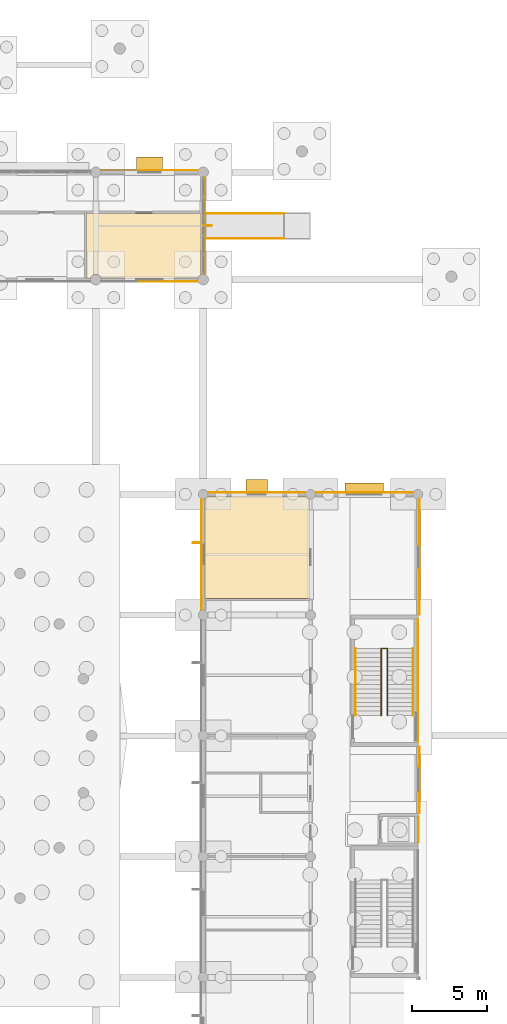
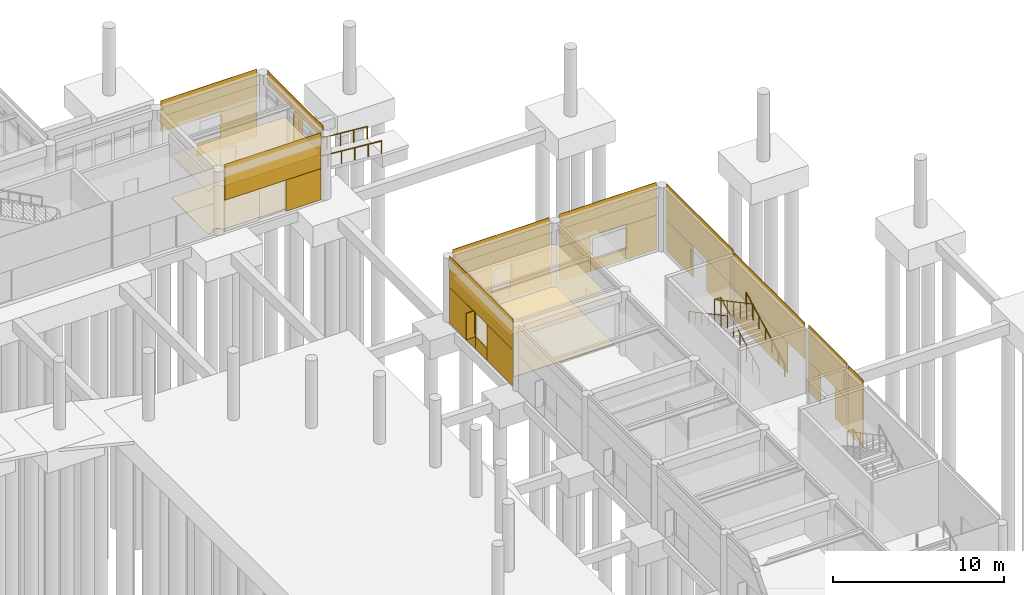
# One storey, part 102 of 103: 31 coverings, 5 railings, 5 shading devices.
"""IFC4 building model written with IfcOpenShell, lengths in metres."""

from ifc_helpers import new_model, si_unit, direction, frame, origin, origin_2d, place, context, subcontext, project, spatial, polyline, rectangle, circle, outline, extrude, material, layer, layer_set, type_object, element, save


model = new_model("IFC4")

# Units and contexts
model_context = context("Model", 3, precision=1e-05, world=origin(), true_north=direction((0.0, 1.0)))
body_context = subcontext(model_context, "Body", "Model", "MODEL_VIEW")
ifc_project = project(units=[si_unit("LENGTHUNIT", "METRE"), si_unit("AREAUNIT", "SQUARE_METRE"), si_unit("VOLUMEUNIT", "CUBIC_METRE"), si_unit("PLANEANGLEUNIT", "RADIAN"), si_unit("MASSUNIT", "GRAM", prefix="KILO")], contexts=[model_context])

# Site, building, storey
site_placement = place(None, origin())
site = spatial("IfcSite", under=ifc_project, at=site_placement, CompositionType="ELEMENT")
building_placement = place(site_placement, origin())
building = spatial("IfcBuilding", under=site, at=building_placement, Name="Namkhue Oval Health Centre", CompositionType="ELEMENT")
storey_placement = place(building_placement, origin())
storey = spatial("IfcBuildingStorey", under=building, at=storey_placement, Name="L00", CompositionType="ELEMENT", Elevation=0.0)

# Coverings
ifc_material_1 = material(Name="Acoustic mineral-fibre cleanroom ceiling", Category="gypsum")
ifc_layer_1 = layer(ifc_material_1, 0.02001953125)
ifc_layer_set_1 = layer_set([ifc_layer_1], Name="Acoustic mineral-fibre cleanroom ceiling")
covering_type_1 = type_object("IfcCoveringType", Name="ACOUSTIC CLEANROOM CEILING 20", PredefinedType="CEILING", material=ifc_layer_set_1)
covering_1_placement = place(storey_placement, frame((0.0, 0.0, 3.050048828125)))
element("IfcCovering", 1, at=covering_1_placement, inside=storey, type_object=covering_type_1, Name="Acoustic Ceiling L00-311 Hearing Aid Fitting Clinic", PredefinedType="CEILING", context=body_context, shape_type="SweptSolid", body=[
    extrude(outline(polyline([(129.94873046875, 90.0849609375), (129.911865234375, 90.179931640625), (129.8544921875, 90.254638671875), (129.780029296875, 90.311767578125), (129.693115234375, 90.34765625), (129.60009765625, 90.360107421875), (129.5068359375, 90.34765625), (129.419921875, 90.311767578125), (129.345458984375, 90.254638671875), (129.2880859375, 90.179931640625), (129.251220703125, 90.0849609375), (128.97998046875, 90.0849609375), (128.97998046875, 94.419921875), (136.655029296875, 94.419921875), (136.655029296875, 90.326416015625), (136.6201171875, 90.311767578125), (136.54541015625, 90.254638671875), (136.48828125, 90.179931640625), (136.451171875, 90.0849609375), (129.94873046875, 90.0849609375)])), origin(), (0.0, 0.0, 1.0), 0.02001953125),
])
covering_2_placement = place(storey_placement, frame((0.0, 0.0, 3.050048828125)))
element("IfcCovering", 2, at=covering_2_placement, inside=storey, type_object=covering_type_1, Name="Acoustic Ceiling L00-607 Gait Mobility Assessment Clinic", PredefinedType="CEILING", context=body_context, shape_type="SweptSolid", body=[
    extrude(outline(polyline([(136.885009765625, 68.616943359375), (136.885009765625, 75.276123046875), (136.967529296875, 75.309814453125), (137.036865234375, 75.363037109375), (137.090087890625, 75.4326171875), (137.09521484375, 75.445068359375), (143.70458984375, 75.445068359375), (143.7099609375, 75.4326171875), (143.76318359375, 75.363037109375), (143.83251953125, 75.309814453125), (143.919921875, 75.275390625), (143.919921875, 68.616943359375), (136.885009765625, 68.616943359375)])), origin(), (0.0, 0.0, 1.0), 0.02001953125),
])
ifc_material_2 = material(Name="Homogeneous anti-bacterial clinical vinyl flooring", Category="plastic")
ifc_layer_2 = layer(ifc_material_2, 0.014892578125)
ifc_layer_set_2 = layer_set([ifc_layer_2], Name="Homogeneous anti-bacterial clinical vinyl flooring")
covering_type_2 = type_object("IfcCoveringType", Name="CLINICAL ANTIBACTERIAL VINYL FLOORING 15", PredefinedType="FLOORING", material=ifc_layer_set_2)
covering_3_placement = place(storey_placement, origin())
element("IfcCovering", 3, at=covering_3_placement, inside=storey, type_object=covering_type_2, Name="Clinical Flooring L00-311 Hearing Aid Fitting Clinic", PredefinedType="FLOORING", context=body_context, shape_type="SweptSolid", body=[
    extrude(outline(polyline([(129.94873046875, 90.0849609375), (129.911865234375, 90.179931640625), (129.8544921875, 90.254638671875), (129.780029296875, 90.311767578125), (129.693115234375, 90.34765625), (129.60009765625, 90.360107421875), (129.5068359375, 90.34765625), (129.419921875, 90.311767578125), (129.345458984375, 90.254638671875), (129.2880859375, 90.179931640625), (129.251220703125, 90.0849609375), (128.97998046875, 90.0849609375), (128.97998046875, 94.419921875), (136.655029296875, 94.419921875), (136.655029296875, 90.326416015625), (136.6201171875, 90.311767578125), (136.54541015625, 90.254638671875), (136.48828125, 90.179931640625), (136.451171875, 90.0849609375), (129.94873046875, 90.0849609375)])), origin(), (0.0, 0.0, 1.0), 0.014892578125),
])
covering_4_placement = place(storey_placement, origin())
element("IfcCovering", 4, at=covering_4_placement, inside=storey, type_object=covering_type_2, Name="Clinical Flooring L00-607 Gait Mobility Assessment Clinic", PredefinedType="FLOORING", context=body_context, shape_type="SweptSolid", body=[
    extrude(outline(polyline([(136.885009765625, 68.616943359375), (136.885009765625, 75.276123046875), (136.967529296875, 75.309814453125), (137.036865234375, 75.363037109375), (137.090087890625, 75.4326171875), (137.09521484375, 75.445068359375), (143.70458984375, 75.445068359375), (143.7099609375, 75.4326171875), (143.76318359375, 75.363037109375), (143.83251953125, 75.309814453125), (143.919921875, 75.275390625), (143.919921875, 68.616943359375), (136.885009765625, 68.616943359375)])), origin(), (0.0, 0.0, 1.0), 0.014892578125),
])

# Railings
ifc_material_3 = material(Name="Brushed stainless steel 304 tubular handrail", Category="steel")
railing_type_1 = type_object("IfcRailingType", Name="EXTERIOR RAMP HANDRAIL 900", PredefinedType="HANDRAIL", material=ifc_material_3)
for number, where, name in (
    (5, (142.199951171875, 92.760009765625, -0.449951171875), "East Specialist Clinic Arrival Ramp Handrail L"),
    (6, (142.199951171875, 94.43994140625, -0.449951171875), "East Specialist Clinic Arrival Ramp Handrail R"),
):
    element("IfcRailing", number, at=place(storey_placement, frame(where)), inside=storey, type_object=railing_type_1, Name=name, PredefinedType="HANDRAIL", context=body_context, shape_type="SweptSolid", body=[
        extrude(circle(Radius=0.02392578125, at=origin_2d()), frame((0.0, 0.0, 0.8759765625), z_axis=(-0.996546379678, 0.0, 0.083038022323), x_axis=(0.0, -1.0, 0.0)), (0.0, 0.0, 1.0), 5.418701171875),
        extrude(circle(Radius=0.02099609375, at=origin_2d()), origin(), (0.0, 0.0, 1.0), 0.851806640625),
        extrude(circle(Radius=0.02099609375, at=origin_2d()), frame((-0.89990234375, 0.0, 0.074951171875)), (0.0, 0.0, 1.0), 0.851806640625),
        extrude(circle(Radius=0.02099609375, at=origin_2d()), frame((-1.800048828125, 0.0, 0.14990234375)), (0.0, 0.0, 1.0), 0.851806640625),
        extrude(circle(Radius=0.02099609375, at=origin_2d()), frame((-2.699951171875, 0.0, 0.22509765625)), (0.0, 0.0, 1.0), 0.851806640625),
        extrude(circle(Radius=0.02099609375, at=origin_2d()), frame((-3.599853515625, 0.0, 0.300048828125)), (0.0, 0.0, 1.0), 0.851806640625),
        extrude(circle(Radius=0.02099609375, at=origin_2d()), frame((-4.5, 0.0, 0.375)), (0.0, 0.0, 1.0), 0.851806640625),
        extrude(circle(Radius=0.02099609375, at=origin_2d()), frame((-5.39990234375, 0.0, 0.449951171875)), (0.0, 0.0, 1.0), 0.851806640625),
    ])
ifc_material_4 = material(Name="Brushed stainless steel 316L balustrade with laminated glass infill", Category="steel")
railing_type_2 = type_object("IfcRailingType", Name="INTERIOR BALUSTRADE GUARD 1150", PredefinedType="BALUSTRADE", material=ifc_material_4)
railing_1_placement = place(storey_placement, frame((149.159912109375, 60.75, 0.0)))
element("IfcRailing", 7, at=railing_1_placement, inside=storey, type_object=railing_type_2, Name="Stair ST-12 L00 Inner Well Guard", PredefinedType="BALUSTRADE", context=body_context, shape_type="SweptSolid", body=[
    extrude(circle(Radius=0.02392578125, at=origin_2d()), frame((0.0, 0.0, 1.1259765625), z_axis=(0.0, 0.882360891967, 0.470573327259), x_axis=(-1.0, 0.0, 0.0)), (0.0, 0.0, 1.0), 5.099853515625),
    extrude(circle(Radius=0.02392578125, at=origin_2d()), frame((0.0, 4.5, 3.52587890625), z_axis=(-1.0, 0.0, 0.0), x_axis=(0.0, -1.0, 0.0)), (0.0, 0.0, 1.0), 0.419921875),
    extrude(circle(Radius=0.02392578125, at=origin_2d()), frame((-0.419921875, 4.5, 3.52587890625), z_axis=(0.0, -0.882341014787, 0.470610596591), x_axis=(1.0, 0.0, 0.0)), (0.0, 0.0, 1.0), 5.10009765625),
    extrude(circle(Radius=0.02099609375, at=origin_2d()), origin(), (0.0, 0.0, 1.0), 1.101806640625),
    extrude(circle(Radius=0.02099609375, at=origin_2d()), frame((0.0, 0.75, 0.39990234375)), (0.0, 0.0, 1.0), 1.101806640625),
    extrude(circle(Radius=0.02099609375, at=origin_2d()), frame((0.0, 1.5, 0.800048828125)), (0.0, 0.0, 1.0), 1.101806640625),
    extrude(circle(Radius=0.02099609375, at=origin_2d()), frame((0.0, 2.25, 1.199951171875)), (0.0, 0.0, 1.0), 1.101806640625),
    extrude(circle(Radius=0.02099609375, at=origin_2d()), frame((0.0, 3.0, 1.599853515625)), (0.0, 0.0, 1.0), 1.101806640625),
    extrude(circle(Radius=0.02099609375, at=origin_2d()), frame((0.0, 3.75, 2.0)), (0.0, 0.0, 1.0), 1.101806640625),
    extrude(circle(Radius=0.02099609375, at=origin_2d()), frame((0.0, 4.5, 2.39990234375)), (0.0, 0.0, 1.0), 1.101806640625),
    extrude(circle(Radius=0.02099609375, at=origin_2d()), frame((-0.419921875, 4.5, 2.39990234375)), (0.0, 0.0, 1.0), 1.101806640625),
    extrude(circle(Radius=0.02099609375, at=origin_2d()), frame((-0.419921875, 3.75, 2.7998046875)), (0.0, 0.0, 1.0), 1.101806640625),
    extrude(circle(Radius=0.02099609375, at=origin_2d()), frame((-0.419921875, 3.0, 3.199951171875)), (0.0, 0.0, 1.0), 1.101806640625),
    extrude(circle(Radius=0.02099609375, at=origin_2d()), frame((-0.419921875, 2.25, 3.60009765625)), (0.0, 0.0, 1.0), 1.101806640625),
    extrude(circle(Radius=0.02099609375, at=origin_2d()), frame((-0.419921875, 1.5, 4.0)), (0.0, 0.0, 1.0), 1.101806640625),
    extrude(circle(Radius=0.02099609375, at=origin_2d()), frame((-0.419921875, 0.75, 4.39990234375)), (0.0, 0.0, 1.0), 1.101806640625),
    extrude(circle(Radius=0.02099609375, at=origin_2d()), frame((-0.419921875, 0.0, 4.800048828125)), (0.0, 0.0, 1.0), 1.101806640625),
])
railing_type_3 = type_object("IfcRailingType", Name="INTERIOR STAIR HANDRAIL 900", PredefinedType="HANDRAIL", material=ifc_material_3)
railing_2_placement = place(storey_placement, frame((150.8798828125, 60.75, 0.0)))
element("IfcRailing", 8, at=railing_2_placement, inside=storey, type_object=railing_type_3, Name="Stair ST-12 L00 Flight 1 Handrail", PredefinedType="HANDRAIL", context=body_context, shape_type="SweptSolid", body=[
    extrude(circle(Radius=0.02392578125, at=origin_2d()), frame((0.0, 0.0, 0.8759765625), z_axis=(0.0, 0.882360891967, 0.470573327259), x_axis=(-1.0, 0.0, 0.0)), (0.0, 0.0, 1.0), 5.099853515625),
    extrude(circle(Radius=0.02099609375, at=origin_2d()), origin(), (0.0, 0.0, 1.0), 0.851806640625),
    extrude(circle(Radius=0.02099609375, at=origin_2d()), frame((0.0, 0.75, 0.39990234375)), (0.0, 0.0, 1.0), 0.851806640625),
    extrude(circle(Radius=0.02099609375, at=origin_2d()), frame((0.0, 1.5, 0.800048828125)), (0.0, 0.0, 1.0), 0.851806640625),
    extrude(circle(Radius=0.02099609375, at=origin_2d()), frame((0.0, 2.25, 1.199951171875)), (0.0, 0.0, 1.0), 0.851806640625),
    extrude(circle(Radius=0.02099609375, at=origin_2d()), frame((0.0, 3.0, 1.599853515625)), (0.0, 0.0, 1.0), 0.851806640625),
    extrude(circle(Radius=0.02099609375, at=origin_2d()), frame((0.0, 3.75, 2.0)), (0.0, 0.0, 1.0), 0.851806640625),
    extrude(circle(Radius=0.02099609375, at=origin_2d()), frame((0.0, 4.5, 2.39990234375)), (0.0, 0.0, 1.0), 0.851806640625),
])
railing_3_placement = place(storey_placement, frame((147.02001953125, 65.25, 2.39990234375)))
element("IfcRailing", 9, at=railing_3_placement, inside=storey, type_object=railing_type_3, Name="Stair ST-12 L00 Flight 2 Handrail", PredefinedType="HANDRAIL", context=body_context, shape_type="SweptSolid", body=[
    extrude(circle(Radius=0.02392578125, at=origin_2d()), frame((0.0, 0.0, 0.8759765625), z_axis=(0.0, -0.882341014787, 0.470610596591), x_axis=(1.0, 0.0, 0.0)), (0.0, 0.0, 1.0), 5.10009765625),
    extrude(circle(Radius=0.02099609375, at=origin_2d()), origin(), (0.0, 0.0, 1.0), 0.851806640625),
    extrude(circle(Radius=0.02099609375, at=origin_2d()), frame((0.0, -0.75, 0.39990234375)), (0.0, 0.0, 1.0), 0.851806640625),
    extrude(circle(Radius=0.02099609375, at=origin_2d()), frame((0.0, -1.5, 0.800048828125)), (0.0, 0.0, 1.0), 0.851806640625),
    extrude(circle(Radius=0.02099609375, at=origin_2d()), frame((0.0, -2.25, 1.2001953125)), (0.0, 0.0, 1.0), 0.851806640625),
    extrude(circle(Radius=0.02099609375, at=origin_2d()), frame((0.0, -3.0, 1.60009765625)), (0.0, 0.0, 1.0), 0.851806640625),
    extrude(circle(Radius=0.02099609375, at=origin_2d()), frame((0.0, -3.75, 2.0)), (0.0, 0.0, 1.0), 0.851806640625),
    extrude(circle(Radius=0.02099609375, at=origin_2d()), frame((0.0, -4.5, 2.400146484375)), (0.0, 0.0, 1.0), 0.851806640625),
])

# Shading devices
ifc_material_5 = material(Name="Anodised aluminium EN AW-6063 T6", Category="aluminium")
ifc_layer_3 = layer(ifc_material_5, 0.06005859375)
ifc_layer_set_3 = layer_set([ifc_layer_3], Name="Anodised aluminium EN AW-6063 T6")
shading_device_type_1 = type_object("IfcShadingDeviceType", Name="MONSOON SUN LOUVRE 900", PredefinedType="JALOUSIE", material=ifc_layer_set_3)
shading_device_1_placement = place(storey_placement, frame((133.199951171875, 97.764892578125, 2.580078125), z_axis=(0.0, 0.0, 1.0), x_axis=(-1.0, 0.0, 0.0)))
element("IfcShadingDevice", 10, at=shading_device_1_placement, inside=storey, type_object=shading_device_type_1, Name="Volume V3 L00 Window Monsoon Louvre 118", PredefinedType="JALOUSIE", context=body_context, shape_type="SweptSolid", body=[
    extrude(rectangle(XDim=1.739990234375, YDim=0.89990234375, at=origin_2d()), origin(), (0.0, 0.0, 1.0), 0.06005859375),
])
shading_device_2_placement = place(storey_placement, frame((140.39990234375, 76.14990234375, 2.580078125), z_axis=(0.0, 0.0, 1.0), x_axis=(-1.0, 0.0, 0.0)))
element("IfcShadingDevice", 11, at=shading_device_2_placement, inside=storey, type_object=shading_device_type_1, Name="Volume V6 L00 Window Monsoon Louvre 298", PredefinedType="JALOUSIE", context=body_context, shape_type="SweptSolid", body=[
    extrude(rectangle(XDim=1.43994140625, YDim=0.89990234375, at=origin_2d()), origin(), (0.0, 0.0, 1.0), 0.06005859375),
])
ifc_layer_4 = layer(ifc_material_5, 0.050048828125)
ifc_layer_set_4 = layer_set([ifc_layer_4], Name="Anodised aluminium EN AW-6063 T6")
shading_device_type_2 = type_object("IfcShadingDeviceType", Name="STORM SHUTTER LOUVRE 650", PredefinedType="SHUTTER", material=ifc_layer_set_4)
shading_device_3_placement = place(storey_placement, frame((147.60009765625, 76.02001953125, 2.4599609375), z_axis=(0.0, 0.0, 1.0), x_axis=(-1.0, 0.0, 0.0)))
element("IfcShadingDevice", 12, at=shading_device_3_placement, inside=storey, type_object=shading_device_type_2, Name="Volume V6 L00 Window Monsoon Louvre 297", PredefinedType="SHUTTER", context=body_context, shape_type="SweptSolid", body=[
    extrude(rectangle(XDim=2.590087890625, YDim=0.64990234375, at=origin_2d()), origin(), (0.0, 0.0, 1.0), 0.06005859375),
])
shading_device_type_3 = type_object("IfcShadingDeviceType", Name="VERTICAL SOLAR FIN 600", PredefinedType="USERDEFINED", material=ifc_material_5)
shading_device_4_placement = place(storey_placement, frame((137.06005859375, 93.60009765625, 0.0), z_axis=(0.0, 0.0, 1.0), x_axis=(1.0, 0.0, 0.0)))
element("IfcShadingDevice", 13, at=shading_device_4_placement, inside=storey, type_object=shading_device_type_3, Name="Volume V3 L00 Extruded Aluminium Solar Fin 117", ObjectType="SOLAR FIN", PredefinedType="USERDEFINED", context=body_context, shape_type="SweptSolid", body=[
    extrude(rectangle(XDim=0.60009765625, YDim=0.06005859375, at=origin_2d()), origin(), (0.0, 0.0, 1.0), 3.885009765625),
])
shading_device_5_placement = place(storey_placement, frame((136.405029296875, 72.340087890625, 0.7998046875), z_axis=(0.0, 0.0, 1.0), x_axis=(-1.0, 0.0, 0.0)))
element("IfcShadingDevice", 14, at=shading_device_5_placement, inside=storey, type_object=shading_device_type_3, Name="Volume V6 L00 Window Solar Fin 299", ObjectType="SOLAR FIN", PredefinedType="USERDEFINED", context=body_context, shape_type="SweptSolid", body=[
    extrude(rectangle(XDim=0.60009765625, YDim=0.06005859375, at=origin_2d()), origin(), (0.0, 0.0, 1.0), 1.860107421875),
])

# Coverings
ifc_material_6 = material(Name="White glass-fibre reinforced concrete GRC rainscreen cladding", Category="concrete")
ifc_layer_5 = layer(ifc_material_6, 0.02490234375)
ifc_layer_set_5 = layer_set([ifc_layer_5], Name="White glass-fibre reinforced concrete GRC rainscreen cladding")
covering_type_3 = type_object("IfcCoveringType", Name="WHITE GRC RAINSCREEN CLADDING 25", PredefinedType="CLADDING", material=ifc_layer_set_5)
covering_5_placement = place(storey_placement, frame((133.199951171875, 89.867919921875, 2.23486328125), z_axis=(0.0, 0.0, 1.0), x_axis=(1.0, 0.0, 0.0)))
element("IfcCovering", 15, at=covering_5_placement, inside=storey, type_object=covering_type_3, Name="Volume V3 L00 Facade 55 White GRC Cladding 1", PredefinedType="CLADDING", context=body_context, shape_type="SweptSolid", body=[
    extrude(rectangle(XDim=6.469970703125, YDim=0.02490234375, at=origin_2d()), origin(), (0.0, 0.0, 1.0), 2.554931640625),
])
covering_6_placement = place(storey_placement, frame((135.262451171875, 89.867919921875, 0.01025390625), z_axis=(0.0, 0.0, 1.0), x_axis=(1.0, 0.0, 0.0)))
element("IfcCovering", 16, at=covering_6_placement, inside=storey, type_object=covering_type_3, Name="Volume V3 L00 Facade 55 White GRC Cladding 3", PredefinedType="CLADDING", context=body_context, shape_type="SweptSolid", body=[
    extrude(rectangle(XDim=2.344970703125, YDim=0.02490234375, at=origin_2d()), origin(), (0.0, 0.0, 1.0), 2.219970703125),
])
covering_7_placement = place(storey_placement, frame((136.888427734375, 93.60009765625, 3.8701171875), z_axis=(0.0, 0.0, 1.0), x_axis=(0.0, 1.0, 0.0)))
element("IfcCovering", 17, at=covering_7_placement, inside=storey, type_object=covering_type_3, Name="Volume V3 L00 Curtain Wall Spandrel Cladding 91", PredefinedType="CLADDING", context=body_context, shape_type="SweptSolid", body=[
    extrude(rectangle(XDim=6.5, YDim=0.02490234375, at=origin_2d()), origin(), (0.0, 0.0, 1.0), 0.929931640625),
])
covering_8_placement = place(storey_placement, frame((133.199951171875, 97.3369140625, 2.5751953125), z_axis=(0.0, 0.0, 1.0), x_axis=(-1.0, 0.0, 0.0)))
element("IfcCovering", 18, at=covering_8_placement, inside=storey, type_object=covering_type_3, Name="Volume V3 L00 Facade 56 White GRC Cladding 1", PredefinedType="CLADDING", context=body_context, shape_type="SweptSolid", body=[
    extrude(rectangle(XDim=6.469970703125, YDim=0.02490234375, at=origin_2d()), origin(), (0.0, 0.0, 1.0), 2.215087890625),
])
covering_9_placement = place(storey_placement, frame((135.199951171875, 97.3369140625, 0.010009765625), z_axis=(0.0, 0.0, 1.0), x_axis=(-1.0, 0.0, 0.0)))
element("IfcCovering", 19, at=covering_9_placement, inside=storey, type_object=covering_type_3, Name="Volume V3 L00 Facade 56 White GRC Cladding 2", PredefinedType="CLADDING", context=body_context, shape_type="SweptSolid", body=[
    extrude(rectangle(XDim=2.469970703125, YDim=0.02490234375, at=origin_2d()), origin(), (0.0, 0.0, 1.0), 2.56005859375),
])
covering_10_placement = place(storey_placement, frame((133.199951171875, 97.3369140625, 0.010009765625), z_axis=(0.0, 0.0, 1.0), x_axis=(-1.0, 0.0, 0.0)))
element("IfcCovering", 20, at=covering_10_placement, inside=storey, type_object=covering_type_3, Name="Volume V3 L00 Facade 56 White GRC Cladding 3", PredefinedType="CLADDING", context=body_context, shape_type="SweptSolid", body=[
    extrude(rectangle(XDim=1.52001953125, YDim=0.02490234375, at=origin_2d()), origin(), (0.0, 0.0, 1.0), 0.875),
])
covering_11_placement = place(storey_placement, frame((151.306884765625, 56.449951171875, 2.21484375), z_axis=(0.0, 0.0, 1.0), x_axis=(0.0, 1.0, 0.0)))
element("IfcCovering", 21, at=covering_11_placement, inside=storey, type_object=covering_type_3, Name="Volume V6 L00 Facade 162 White GRC Cladding 1", PredefinedType="CLADDING", context=body_context, shape_type="SweptSolid", body=[
    extrude(rectangle(XDim=4.4560546875, YDim=0.02490234375, at=origin_2d()), origin(), (0.0, 0.0, 1.0), 2.574951171875),
])
for number, where, z_axis, x_axis, name in (
    (22, (151.306884765625, 54.928466796875, 0.01025390625), (0.0, 0.0, 1.0), (0.0, 1.0, 0.0), "Volume V6 L00 Facade 162 White GRC Cladding 2"),
    (23, (151.306884765625, 57.971435546875, 0.01025390625), (0.0, 0.0, 1.0), (0.0, 1.0, 0.0), "Volume V6 L00 Facade 162 White GRC Cladding 3"),
):
    element("IfcCovering", number, at=place(storey_placement, frame(where, z_axis=z_axis, x_axis=x_axis)), inside=storey, type_object=covering_type_3, Name=name, PredefinedType="CLADDING", context=body_context, shape_type="SweptSolid", body=[
        extrude(rectangle(XDim=1.4130859375, YDim=0.02490234375, at=origin_2d()), origin(), (0.0, 0.0, 1.0), 2.199951171875),
    ])
covering_12_placement = place(storey_placement, frame((151.31201171875, 71.39111328125, 2.19482421875), z_axis=(0.0, 0.0, 1.0), x_axis=(0.0, 1.0, 0.0)))
element("IfcCovering", 24, at=covering_12_placement, inside=storey, type_object=covering_type_3, Name="Volume V6 L00 Facade 163 White GRC Cladding 1", PredefinedType="CLADDING", context=body_context, shape_type="SweptSolid", body=[
    extrude(rectangle(XDim=7.738037109375, YDim=0.02490234375, at=origin_2d()), origin(), (0.0, 0.0, 1.0), 2.594970703125),
])
for number, where, z_axis, x_axis, name in (
    (25, (151.31201171875, 69.069091796875, 0.01025390625), (0.0, 0.0, 1.0), (0.0, 1.0, 0.0), "Volume V6 L00 Facade 163 White GRC Cladding 2"),
    (26, (151.31201171875, 73.712890625, 0.01025390625), (0.0, 0.0, 1.0), (0.0, 1.0, 0.0), "Volume V6 L00 Facade 163 White GRC Cladding 3"),
):
    element("IfcCovering", number, at=place(storey_placement, frame(where, z_axis=z_axis, x_axis=x_axis)), inside=storey, type_object=covering_type_3, Name=name, PredefinedType="CLADDING", context=body_context, shape_type="SweptSolid", body=[
        extrude(rectangle(XDim=3.093994140625, YDim=0.02490234375, at=origin_2d()), origin(), (0.0, 0.0, 1.0), 2.179931640625),
    ])
covering_13_placement = place(storey_placement, frame((147.60009765625, 75.717041015625, 2.455078125), z_axis=(0.0, 0.0, 1.0), x_axis=(-1.0, 0.0, 0.0)))
element("IfcCovering", 27, at=covering_13_placement, inside=storey, type_object=covering_type_3, Name="Volume V6 L00 Facade 164 White GRC Cladding 1", PredefinedType="CLADDING", context=body_context, shape_type="SweptSolid", body=[
    extrude(rectangle(XDim=6.52001953125, YDim=0.02490234375, at=origin_2d()), origin(), (0.0, 0.0, 1.0), 2.3349609375),
])
covering_14_placement = place(storey_placement, frame((149.824951171875, 75.717041015625, 0.010009765625), z_axis=(0.0, 0.0, 1.0), x_axis=(-1.0, 0.0, 0.0)))
element("IfcCovering", 28, at=covering_14_placement, inside=storey, type_object=covering_type_3, Name="Volume V6 L00 Facade 164 White GRC Cladding 2", PredefinedType="CLADDING", context=body_context, shape_type="SweptSolid", body=[
    extrude(rectangle(XDim=2.070068359375, YDim=0.02490234375, at=origin_2d()), origin(), (0.0, 0.0, 1.0), 2.43994140625),
])
covering_15_placement = place(storey_placement, frame((147.60009765625, 75.717041015625, 0.010009765625), z_axis=(0.0, 0.0, 1.0), x_axis=(-1.0, 0.0, 0.0)))
element("IfcCovering", 29, at=covering_15_placement, inside=storey, type_object=covering_type_3, Name="Volume V6 L00 Facade 164 White GRC Cladding 3", PredefinedType="CLADDING", context=body_context, shape_type="SweptSolid", body=[
    extrude(rectangle(XDim=2.3701171875, YDim=0.02490234375, at=origin_2d()), origin(), (0.0, 0.0, 1.0), 0.875),
])
covering_16_placement = place(storey_placement, frame((145.375, 75.717041015625, 0.010009765625), z_axis=(0.0, 0.0, 1.0), x_axis=(-1.0, 0.0, 0.0)))
element("IfcCovering", 30, at=covering_16_placement, inside=storey, type_object=covering_type_3, Name="Volume V6 L00 Facade 164 White GRC Cladding 4", PredefinedType="CLADDING", context=body_context, shape_type="SweptSolid", body=[
    extrude(rectangle(XDim=2.070068359375, YDim=0.02490234375, at=origin_2d()), origin(), (0.0, 0.0, 1.0), 2.43994140625),
])
covering_17_placement = place(storey_placement, frame((140.39990234375, 75.721923828125, 2.5751953125), z_axis=(0.0, 0.0, 1.0), x_axis=(-1.0, 0.0, 0.0)))
element("IfcCovering", 31, at=covering_17_placement, inside=storey, type_object=covering_type_3, Name="Volume V6 L00 Facade 165 White GRC Cladding 1", PredefinedType="CLADDING", context=body_context, shape_type="SweptSolid", body=[
    extrude(rectangle(XDim=6.52001953125, YDim=0.02490234375, at=origin_2d()), origin(), (0.0, 0.0, 1.0), 2.215087890625),
])
covering_18_placement = place(storey_placement, frame((142.33740234375, 75.721923828125, 0.010009765625), z_axis=(0.0, 0.0, 1.0), x_axis=(-1.0, 0.0, 0.0)))
element("IfcCovering", 32, at=covering_18_placement, inside=storey, type_object=covering_type_3, Name="Volume V6 L00 Facade 165 White GRC Cladding 2", PredefinedType="CLADDING", context=body_context, shape_type="SweptSolid", body=[
    extrude(rectangle(XDim=2.64501953125, YDim=0.02490234375, at=origin_2d()), origin(), (0.0, 0.0, 1.0), 2.56005859375),
])
covering_19_placement = place(storey_placement, frame((140.39990234375, 75.721923828125, 0.010009765625), z_axis=(0.0, 0.0, 1.0), x_axis=(-1.0, 0.0, 0.0)))
element("IfcCovering", 33, at=covering_19_placement, inside=storey, type_object=covering_type_3, Name="Volume V6 L00 Facade 165 White GRC Cladding 3", PredefinedType="CLADDING", context=body_context, shape_type="SweptSolid", body=[
    extrude(rectangle(XDim=1.219970703125, YDim=0.02490234375, at=origin_2d()), origin(), (0.0, 0.0, 1.0), 0.875),
])
covering_20_placement = place(storey_placement, frame((138.46240234375, 75.721923828125, 0.010009765625), z_axis=(0.0, 0.0, 1.0), x_axis=(-1.0, 0.0, 0.0)))
element("IfcCovering", 34, at=covering_20_placement, inside=storey, type_object=covering_type_3, Name="Volume V6 L00 Facade 165 White GRC Cladding 4", PredefinedType="CLADDING", context=body_context, shape_type="SweptSolid", body=[
    extrude(rectangle(XDim=2.64501953125, YDim=0.02490234375, at=origin_2d()), origin(), (0.0, 0.0, 1.0), 2.56005859375),
])
covering_21_placement = place(storey_placement, frame((136.673095703125, 71.550048828125, 2.5751953125), z_axis=(0.0, 0.0, 1.0), x_axis=(0.0, -1.0, 0.0)))
element("IfcCovering", 35, at=covering_21_placement, inside=storey, type_object=covering_type_3, Name="Volume V6 L00 Facade 166 White GRC Cladding 1", PredefinedType="CLADDING", context=body_context, shape_type="SweptSolid", body=[
    extrude(rectangle(XDim=7.419921875, YDim=0.02490234375, at=origin_2d()), origin(), (0.0, 0.0, 1.0), 2.215087890625),
])
covering_22_placement = place(storey_placement, frame((136.673095703125, 73.737548828125, 0.010009765625), z_axis=(0.0, 0.0, 1.0), x_axis=(0.0, -1.0, 0.0)))
element("IfcCovering", 36, at=covering_22_placement, inside=storey, type_object=covering_type_3, Name="Volume V6 L00 Facade 166 White GRC Cladding 2", PredefinedType="CLADDING", context=body_context, shape_type="SweptSolid", body=[
    extrude(rectangle(XDim=3.044921875, YDim=0.02490234375, at=origin_2d()), origin(), (0.0, 0.0, 1.0), 2.56005859375),
])
covering_23_placement = place(storey_placement, frame((136.673095703125, 71.550048828125, 0.010009765625), z_axis=(0.0, 0.0, 1.0), x_axis=(0.0, -1.0, 0.0)))
element("IfcCovering", 37, at=covering_23_placement, inside=storey, type_object=covering_type_3, Name="Volume V6 L00 Facade 166 White GRC Cladding 3", PredefinedType="CLADDING", context=body_context, shape_type="SweptSolid", body=[
    extrude(rectangle(XDim=1.320068359375, YDim=0.02490234375, at=origin_2d()), origin(), (0.0, 0.0, 1.0), 0.875),
])
covering_24_placement = place(storey_placement, frame((136.673095703125, 69.362548828125, 0.010009765625), z_axis=(0.0, 0.0, 1.0), x_axis=(0.0, -1.0, 0.0)))
element("IfcCovering", 38, at=covering_24_placement, inside=storey, type_object=covering_type_3, Name="Volume V6 L00 Facade 166 White GRC Cladding 4", PredefinedType="CLADDING", context=body_context, shape_type="SweptSolid", body=[
    extrude(rectangle(XDim=3.044921875, YDim=0.02490234375, at=origin_2d()), origin(), (0.0, 0.0, 1.0), 2.56005859375),
])
covering_25_placement = place(storey_placement, frame((151.2119140625, 63.10009765625, 2.21484375), z_axis=(0.0, 0.0, 1.0), x_axis=(0.0, 1.0, 0.0)))
element("IfcCovering", 39, at=covering_25_placement, inside=storey, type_object=covering_type_3, Name="Core SC-12 L00 Core E White GRC Cladding 1", PredefinedType="CLADDING", context=body_context, shape_type="SweptSolid", body=[
    extrude(rectangle(XDim=8.260009765625, YDim=0.02490234375, at=origin_2d()), origin(), (0.0, 0.0, 1.0), 2.574951171875),
])
covering_26_placement = place(storey_placement, frame((151.2119140625, 64.097412109375, 0.01025390625), z_axis=(0.0, 0.0, 1.0), x_axis=(0.0, 1.0, 0.0)))
element("IfcCovering", 40, at=covering_26_placement, inside=storey, type_object=covering_type_3, Name="Core SC-12 L00 Core E White GRC Cladding 2", PredefinedType="CLADDING", context=body_context, shape_type="SweptSolid", body=[
    extrude(rectangle(XDim=6.264892578125, YDim=0.02490234375, at=origin_2d()), origin(), (0.0, 0.0, 1.0), 2.199951171875),
])
covering_27_placement = place(storey_placement, frame((151.237060546875, 53.10009765625, 0.009765625), z_axis=(0.0, 0.0, 1.0), x_axis=(0.0, 1.0, 0.0)))
element("IfcCovering", 41, at=covering_27_placement, inside=storey, type_object=covering_type_3, Name="Lift LF-07 L00 E White GRC Cladding 1", PredefinedType="CLADDING", context=body_context, shape_type="SweptSolid", body=[
    extrude(rectangle(XDim=1.760009765625, YDim=0.02490234375, at=origin_2d()), origin(), (0.0, 0.0, 1.0), 4.780029296875),
])

save(model, "model.ifc")
